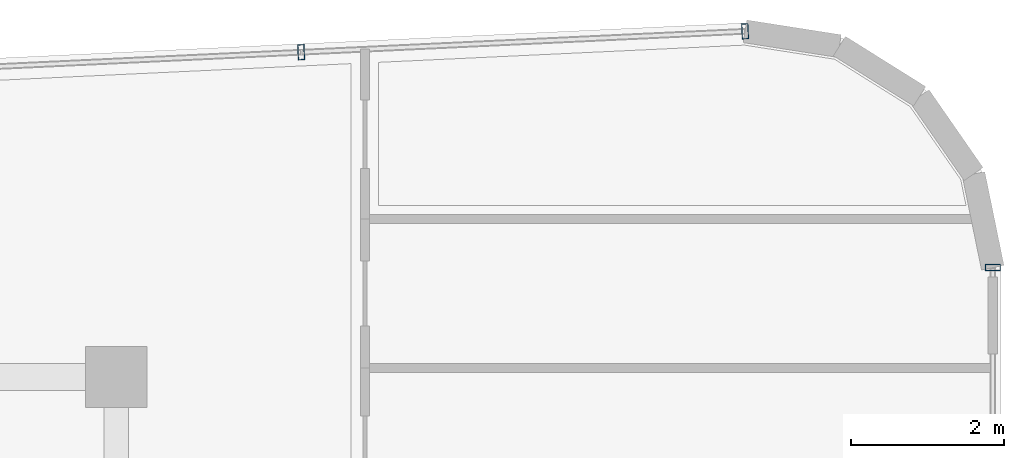
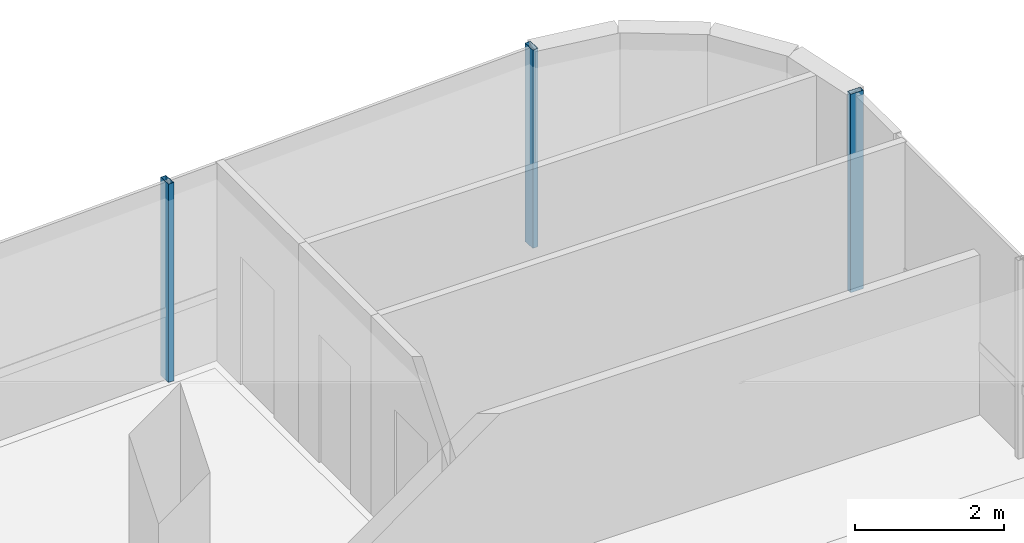
# One storey, part 14 of 21: 3 members, 2 elements without a shape of their own.
"""IFC4 building model written with IfcOpenShell, lengths in metres."""

from ifc_helpers import new_model, si_unit, direction, frame, origin, origin_2d, place, context, subcontext, project, spatial, hollow_rectangle, extrude, source, transform, mapped, material, material_profile, profile_set, type_object, element, aggregate, save


model = new_model("IFC4")

# Units and contexts
model_context = context("Model", 3, precision=1e-05, world=origin(), true_north=direction((0.0, 1.0)))
body_context = subcontext(model_context, "Body", "Model", "MODEL_VIEW")
ifc_project = project(units=[si_unit("LENGTHUNIT", "METRE"), si_unit("AREAUNIT", "SQUARE_METRE"), si_unit("VOLUMEUNIT", "CUBIC_METRE"), si_unit("PLANEANGLEUNIT", "RADIAN"), si_unit("MASSUNIT", "GRAM", prefix="KILO")], contexts=[model_context])

# Site, building, storey
site_placement = place(None, origin())
site = spatial("IfcSite", under=ifc_project, at=site_placement, CompositionType="ELEMENT")
building_placement = place(site_placement, origin())
building = spatial("IfcBuilding", under=site, at=building_placement, Name="Valdorenza Pilgrim Sanctuary Tower", CompositionType="ELEMENT")
storey_placement = place(building_placement, frame((0.0, 0.0, 251.0)))
storey = spatial("IfcBuildingStorey", under=building, at=storey_placement, Name="L65", CompositionType="ELEMENT", Elevation=251.0)

# Curtain wall, members
ifc_material_1 = material(Name="Curtain-wall IGU glazing", Category="glass")
curtain_wall_type = type_object("IfcCurtainWallType", Name="CW-SYS-02", PredefinedType="NOTDEFINED", material=ifc_material_1)
curtain_wall_1_placement = place(storey_placement, origin())
curtain_wall_1 = element("IfcCurtainWall", 1, at=curtain_wall_1_placement, inside=storey, type_object=curtain_wall_type, Name="L65 Curtain Wall CW-L65-1-6", PredefinedType="NOTDEFINED")
ifc_material_2 = material(Name="Anodised aluminium AW-6060", Category="aluminium")
ifc_material_profile = material_profile(ifc_material_2, hollow_rectangle(XDim=0.0849609375, YDim=0.199951171875, WallThickness=0.0048828125, at=origin_2d()), Name="ALU-M 200x85x5")
ifc_profile_set = profile_set([ifc_material_profile], Name="Anodised aluminium AW-6060")
member_type = type_object("IfcMemberType", Name="CW-MUL-02", PredefinedType="MULLION", material=ifc_profile_set)
shared_shape = source(origin(), body_context, "Body", "SweptSolid", [
    extrude(hollow_rectangle(XDim=0.0849609375, YDim=0.199951171875, WallThickness=0.0048828125, at=origin_2d()), origin(), (0.0, 0.0, 1.0), 3.260009765625),
])
member_1_placement = place(storey_placement, frame((-9.976318359375, 19.057373046875, 0.0), z_axis=(0.0, 0.0, 1.0), x_axis=(0.998890696972, 0.047089016785, 0.0)))
member_1 = element("IfcMember", 2, at=member_1_placement, type_object=member_type, Name="CW-L65-1-6 Mullion 4", PredefinedType="MULLION", context=body_context, shape_type="MappedRepresentation", body=[
    mapped(shared_shape, transform((0.0, 0.0, 0.0), x_axis=(1.0, 0.0, 0.0), y_axis=(0.0, 1.0, 0.0), z_axis=(0.0, 0.0, 1.0), scale=1.0)),
])
member_2_placement = place(storey_placement, frame((-4.15673828125, 19.331787109375, 0.0), z_axis=(0.0, 0.0, 1.0), x_axis=(0.998890696972, 0.047089016785, 0.0)))
member_2 = element("IfcMember", 3, at=member_2_placement, type_object=member_type, Name="CW-L65-1-6 Mullion 5", PredefinedType="MULLION", context=body_context, shape_type="MappedRepresentation", body=[
    mapped(shared_shape, transform((0.0, 0.0, 0.0), x_axis=(1.0, 0.0, 0.0), y_axis=(0.0, 1.0, 0.0), z_axis=(0.0, 0.0, 1.0), scale=1.0)),
])
aggregate(curtain_wall_1, [member_1, member_2])

# Curtain wall, member
curtain_wall_2_placement = place(storey_placement, origin())
curtain_wall_2 = element("IfcCurtainWall", 4, at=curtain_wall_2_placement, inside=storey, type_object=curtain_wall_type, Name="L65 Curtain Wall CW-L65-1-11", PredefinedType="NOTDEFINED")
member_3_placement = place(storey_placement, frame((-0.909912109375, 16.234375, 0.0), z_axis=(0.0, 0.0, 1.0), x_axis=(0.0, -1.0, 0.0)))
member_3 = element("IfcMember", 5, at=member_3_placement, type_object=member_type, Name="CW-L65-1-11 Mullion 1", PredefinedType="MULLION", context=body_context, shape_type="MappedRepresentation", body=[
    mapped(shared_shape, transform((0.0, 0.0, 0.0), x_axis=(1.0, 0.0, 0.0), y_axis=(0.0, 1.0, 0.0), z_axis=(0.0, 0.0, 1.0), scale=1.0)),
])
aggregate(curtain_wall_2, [member_3])

save(model, "model.ifc")
